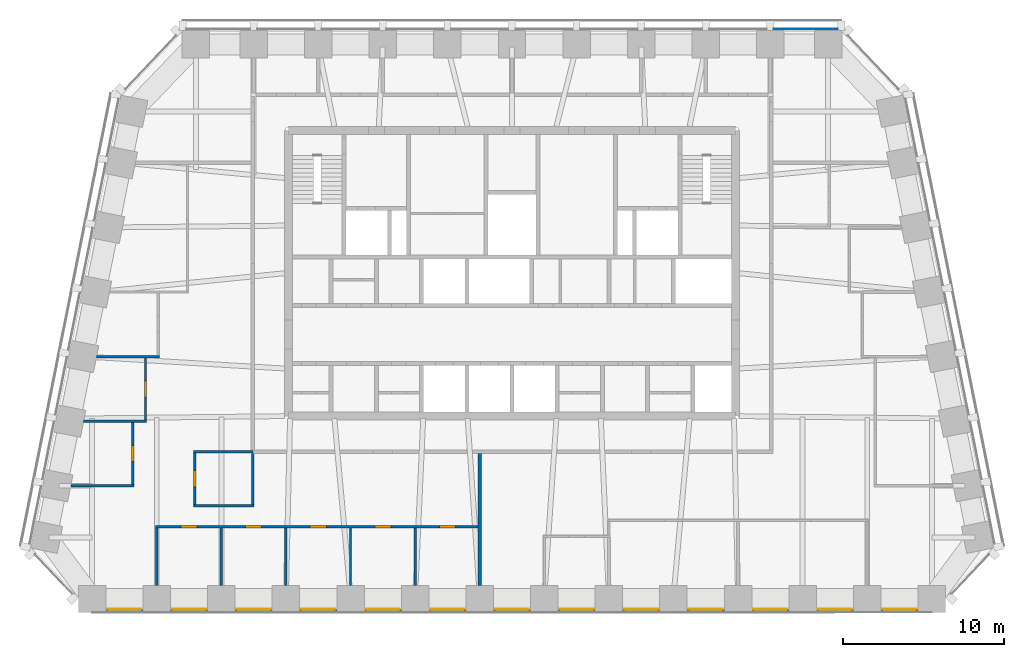
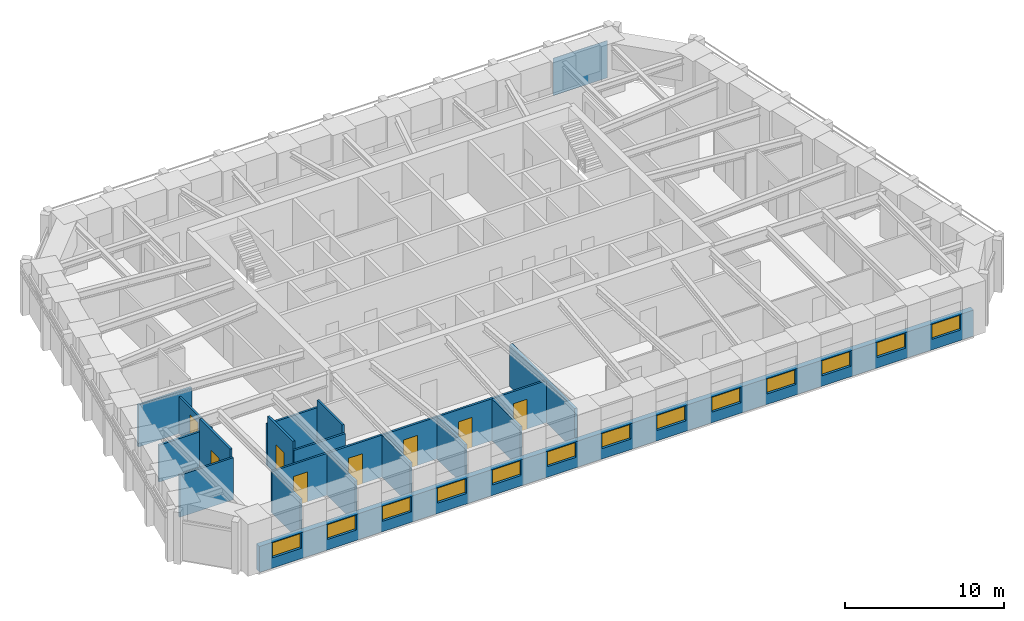
# One storey, part 4 of 11: 17 walls, 13 windows, 8 doors, 1 plate, 21 openings, 1 element without a shape of its own.
"""IFC4 building model written with IfcOpenShell, lengths in metres."""

from ifc_helpers import new_model, si_unit, direction, frame, frame_2d, origin, origin_2d, place, context, subcontext, project, spatial, rectangle, extrude, material, layer, layer_set, type_object, element, fill, aggregate, save


model = new_model("IFC4")

# Units and contexts
model_context = context("Model", 3, precision=1e-05, world=origin(), true_north=direction((0.0, 1.0)))
body_context = subcontext(model_context, "Body", "Model", "MODEL_VIEW")
ifc_project = project(units=[si_unit("LENGTHUNIT", "METRE"), si_unit("AREAUNIT", "SQUARE_METRE"), si_unit("VOLUMEUNIT", "CUBIC_METRE"), si_unit("PLANEANGLEUNIT", "RADIAN"), si_unit("MASSUNIT", "GRAM", prefix="KILO")], contexts=[model_context])

# Site, building, storey
site_placement = place(None, origin())
site = spatial("IfcSite", under=ifc_project, at=site_placement, CompositionType="ELEMENT")
building_placement = place(site_placement, origin())
building = spatial("IfcBuilding", under=site, at=building_placement, Name="Isbrekke Arena Tower", CompositionType="ELEMENT")
storey_placement = place(building_placement, frame((0.0, 0.0, 288.0)))
storey = spatial("IfcBuildingStorey", under=building, at=storey_placement, Name="L67", CompositionType="ELEMENT", Elevation=288.0)

# Curtain wall, plate
ifc_material_1 = material(Name="Glazed aluminium curtain wall", Category="aluminium")
curtain_wall_type = type_object("IfcCurtainWallType", Name="CWT TOWER CURTAIN WALL TOP ZONE", PredefinedType="USERDEFINED", material=ifc_material_1)
curtain_wall_placement = place(storey_placement, origin())
curtain_wall = element("IfcCurtainWall", 1, at=curtain_wall_placement, inside=storey, type_object=curtain_wall_type, Name="CWT curtain wall L67-N", ObjectType="TOWER CURTAIN WALL TOP ZONE", PredefinedType="USERDEFINED")
ifc_material_2 = material(Name="Triple-glazed clear glass unit", Category="glass")
ifc_layer_1 = layer(ifc_material_2, 0.031982421875)
ifc_layer_set_1 = layer_set([ifc_layer_1], Name="CWT-P VISION PANEL")
plate_type = type_object("IfcPlateType", Name="CWT-P VISION PANEL", PredefinedType="CURTAIN_PANEL", material=ifc_layer_set_1)
plate_placement = place(storey_placement, frame((18.199951171875, 30.125, 0.02001953125), z_axis=(0.0, 0.0, 1.0), x_axis=(-1.0, 0.0, 0.0)))
plate = element("IfcPlate", 2, at=plate_placement, type_object=plate_type, Name="CWT-P panel 1", PredefinedType="CURTAIN_PANEL", context=body_context, shape_type="SweptSolid", body=[
    extrude(rectangle(XDim=3.949951171875, YDim=0.031982421875, at=origin_2d()), origin(), (0.0, 0.0, 1.0), 2.8798828125),
])
aggregate(curtain_wall, [plate])

# Wall, openings, windows
ifc_material_3 = material(Name="Copper cladding on insulated framing", Category="metal")
ifc_layer_2 = layer(ifc_material_3, 0.39990234375)
ifc_layer_set_2 = layer_set([ifc_layer_2], Name="EW2 COPPER-CLAD WALL 400")
wall_type_1 = type_object("IfcWallType", Name="EW2 COPPER-CLAD WALL 400", PredefinedType="SOLIDWALL", material=ifc_layer_set_2)
wall_1_placement = place(storey_placement, frame((-26.0, -5.800048828125, 0.0), z_axis=(0.0, 0.0, 1.0), x_axis=(1.0, 0.0, 0.0)))
wall_1 = element("IfcWall", 3, at=wall_1_placement, inside=storey, type_object=wall_type_1, Name="EW2 terrace wall L67", PredefinedType="SOLIDWALL", context=body_context, shape_type="SweptSolid", body=[
    extrude(rectangle(XDim=52.0, YDim=0.39990234375, at=frame_2d((26.0, 0.0))), origin(), (0.0, 0.0, 1.0), 2.0),
])
opening_1_placement = place(wall_1_placement, frame((0.949951171875, 0.0, 0.800048828125)))
opening_1 = element("IfcOpeningElement", 4, at=opening_1_placement, cuts=wall_1, Name="Opening WN1", PredefinedType="OPENING", context=body_context, shape_type="SweptSolid", body=[
    extrude(rectangle(XDim=2.10009765625, YDim=1.14990234375, at=frame_2d((1.050048828125, 0.574951171875))), frame((0.0, 0.21484375, 0.0), z_axis=(0.0, -1.0, 0.0), x_axis=(1.0, 0.0, 0.0)), (0.0, 0.0, 1.0), 0.4296875),
])
opening_2_placement = place(wall_1_placement, frame((4.949951171875, 0.0, 0.800048828125)))
opening_2 = element("IfcOpeningElement", 5, at=opening_2_placement, cuts=wall_1, Name="Opening WN1", PredefinedType="OPENING", context=body_context, shape_type="SweptSolid", body=[
    extrude(rectangle(XDim=2.10009765625, YDim=1.14990234375, at=frame_2d((1.050048828125, 0.574951171875))), frame((0.0, 0.21484375, 0.0), z_axis=(0.0, -1.0, 0.0), x_axis=(1.0, 0.0, 0.0)), (0.0, 0.0, 1.0), 0.4296875),
])
opening_3_placement = place(wall_1_placement, frame((8.949951171875, 0.0, 0.800048828125)))
opening_3 = element("IfcOpeningElement", 6, at=opening_3_placement, cuts=wall_1, Name="Opening WN1", PredefinedType="OPENING", context=body_context, shape_type="SweptSolid", body=[
    extrude(rectangle(XDim=2.10009765625, YDim=1.14990234375, at=frame_2d((1.050048828125, 0.574951171875))), frame((0.0, 0.21484375, 0.0), z_axis=(0.0, -1.0, 0.0), x_axis=(1.0, 0.0, 0.0)), (0.0, 0.0, 1.0), 0.4296875),
])
opening_4_placement = place(wall_1_placement, frame((12.949951171875, 0.0, 0.800048828125)))
opening_4 = element("IfcOpeningElement", 7, at=opening_4_placement, cuts=wall_1, Name="Opening WN1", PredefinedType="OPENING", context=body_context, shape_type="SweptSolid", body=[
    extrude(rectangle(XDim=2.10009765625, YDim=1.14990234375, at=frame_2d((1.050048828125, 0.574951171875))), frame((0.0, 0.21484375, 0.0), z_axis=(0.0, -1.0, 0.0), x_axis=(1.0, 0.0, 0.0)), (0.0, 0.0, 1.0), 0.4296875),
])
opening_5_placement = place(wall_1_placement, frame((16.949951171875, 0.0, 0.800048828125)))
opening_5 = element("IfcOpeningElement", 8, at=opening_5_placement, cuts=wall_1, Name="Opening WN1", PredefinedType="OPENING", context=body_context, shape_type="SweptSolid", body=[
    extrude(rectangle(XDim=2.10009765625, YDim=1.14990234375, at=frame_2d((1.050048828125, 0.574951171875))), frame((0.0, 0.21484375, 0.0), z_axis=(0.0, -1.0, 0.0), x_axis=(1.0, 0.0, 0.0)), (0.0, 0.0, 1.0), 0.4296875),
])
opening_6_placement = place(wall_1_placement, frame((20.949951171875, 0.0, 0.800048828125)))
opening_6 = element("IfcOpeningElement", 9, at=opening_6_placement, cuts=wall_1, Name="Opening WN1", PredefinedType="OPENING", context=body_context, shape_type="SweptSolid", body=[
    extrude(rectangle(XDim=2.10009765625, YDim=1.14990234375, at=frame_2d((1.050048828125, 0.574951171875))), frame((0.0, 0.21484375, 0.0), z_axis=(0.0, -1.0, 0.0), x_axis=(1.0, 0.0, 0.0)), (0.0, 0.0, 1.0), 0.4296875),
])
opening_7_placement = place(wall_1_placement, frame((24.949951171875, 0.0, 0.800048828125)))
opening_7 = element("IfcOpeningElement", 10, at=opening_7_placement, cuts=wall_1, Name="Opening WN1", PredefinedType="OPENING", context=body_context, shape_type="SweptSolid", body=[
    extrude(rectangle(XDim=2.10009765625, YDim=1.14990234375, at=frame_2d((1.050048828125, 0.574951171875))), frame((0.0, 0.21484375, 0.0), z_axis=(0.0, -1.0, 0.0), x_axis=(1.0, 0.0, 0.0)), (0.0, 0.0, 1.0), 0.4296875),
])
opening_8_placement = place(wall_1_placement, frame((28.949951171875, 0.0, 0.800048828125)))
opening_8 = element("IfcOpeningElement", 11, at=opening_8_placement, cuts=wall_1, Name="Opening WN1", PredefinedType="OPENING", context=body_context, shape_type="SweptSolid", body=[
    extrude(rectangle(XDim=2.10009765625, YDim=1.14990234375, at=frame_2d((1.050048828125, 0.574951171875))), frame((0.0, 0.21484375, 0.0), z_axis=(0.0, -1.0, 0.0), x_axis=(1.0, 0.0, 0.0)), (0.0, 0.0, 1.0), 0.4296875),
])
opening_9_placement = place(wall_1_placement, frame((32.949951171875, 0.0, 0.800048828125)))
opening_9 = element("IfcOpeningElement", 12, at=opening_9_placement, cuts=wall_1, Name="Opening WN1", PredefinedType="OPENING", context=body_context, shape_type="SweptSolid", body=[
    extrude(rectangle(XDim=2.10009765625, YDim=1.14990234375, at=frame_2d((1.050048828125, 0.574951171875))), frame((0.0, 0.21484375, 0.0), z_axis=(0.0, -1.0, 0.0), x_axis=(1.0, 0.0, 0.0)), (0.0, 0.0, 1.0), 0.4296875),
])
opening_10_placement = place(wall_1_placement, frame((36.949951171875, 0.0, 0.800048828125)))
opening_10 = element("IfcOpeningElement", 13, at=opening_10_placement, cuts=wall_1, Name="Opening WN1", PredefinedType="OPENING", context=body_context, shape_type="SweptSolid", body=[
    extrude(rectangle(XDim=2.10009765625, YDim=1.14990234375, at=frame_2d((1.050048828125, 0.574951171875))), frame((0.0, 0.21484375, 0.0), z_axis=(0.0, -1.0, 0.0), x_axis=(1.0, 0.0, 0.0)), (0.0, 0.0, 1.0), 0.4296875),
])
opening_11_placement = place(wall_1_placement, frame((40.949951171875, 0.0, 0.800048828125)))
opening_11 = element("IfcOpeningElement", 14, at=opening_11_placement, cuts=wall_1, Name="Opening WN1", PredefinedType="OPENING", context=body_context, shape_type="SweptSolid", body=[
    extrude(rectangle(XDim=2.10009765625, YDim=1.14990234375, at=frame_2d((1.050048828125, 0.574951171875))), frame((0.0, 0.21484375, 0.0), z_axis=(0.0, -1.0, 0.0), x_axis=(1.0, 0.0, 0.0)), (0.0, 0.0, 1.0), 0.4296875),
])
opening_12_placement = place(wall_1_placement, frame((44.949951171875, 0.0, 0.800048828125)))
opening_12 = element("IfcOpeningElement", 15, at=opening_12_placement, cuts=wall_1, Name="Opening WN1", PredefinedType="OPENING", context=body_context, shape_type="SweptSolid", body=[
    extrude(rectangle(XDim=2.10009765625, YDim=1.14990234375, at=frame_2d((1.050048828125, 0.574951171875))), frame((0.0, 0.21484375, 0.0), z_axis=(0.0, -1.0, 0.0), x_axis=(1.0, 0.0, 0.0)), (0.0, 0.0, 1.0), 0.4296875),
])
opening_13_placement = place(wall_1_placement, frame((48.949951171875, 0.0, 0.800048828125)))
opening_13 = element("IfcOpeningElement", 16, at=opening_13_placement, cuts=wall_1, Name="Opening WN1", PredefinedType="OPENING", context=body_context, shape_type="SweptSolid", body=[
    extrude(rectangle(XDim=2.10009765625, YDim=1.14990234375, at=frame_2d((1.050048828125, 0.574951171875))), frame((0.0, 0.21484375, 0.0), z_axis=(0.0, -1.0, 0.0), x_axis=(1.0, 0.0, 0.0)), (0.0, 0.0, 1.0), 0.4296875),
])
ifc_material_4 = material(Name="Timber-aluminium window, triple glazed", Category="wood")
window_type = type_object("IfcWindowType", Name="WN1 TERRACE WINDOW 2100 x 1150", PartitioningType="SINGLE_PANEL", PredefinedType="WINDOW", material=ifc_material_4)
window_1_placement = place(opening_1_placement, origin())
window_1 = element("IfcWindow", 17, at=window_1_placement, inside=storey, type_object=window_type, Name="WN1 terrace window L67-1", OverallHeight=1.14990234375, OverallWidth=2.10009765625, PartitioningType="SINGLE_PANEL", PredefinedType="WINDOW", context=body_context, shape_type="SweptSolid", body=[
    extrude(rectangle(XDim=2.10009765625, YDim=1.14990234375, at=frame_2d((1.050048828125, 0.574951171875))), frame((0.0, 0.030029296875, 0.0), z_axis=(0.0, -1.0, 0.0), x_axis=(1.0, 0.0, 0.0)), (0.0, 0.0, 1.0), 0.06005859375),
])
fill(opening_1, window_1)
window_2_placement = place(opening_2_placement, origin())
window_2 = element("IfcWindow", 18, at=window_2_placement, inside=storey, type_object=window_type, Name="WN1 terrace window L67-2", OverallHeight=1.14990234375, OverallWidth=2.10009765625, PartitioningType="SINGLE_PANEL", PredefinedType="WINDOW", context=body_context, shape_type="SweptSolid", body=[
    extrude(rectangle(XDim=2.10009765625, YDim=1.14990234375, at=frame_2d((1.050048828125, 0.574951171875))), frame((0.0, 0.030029296875, 0.0), z_axis=(0.0, -1.0, 0.0), x_axis=(1.0, 0.0, 0.0)), (0.0, 0.0, 1.0), 0.06005859375),
])
fill(opening_2, window_2)
window_3_placement = place(opening_3_placement, origin())
window_3 = element("IfcWindow", 19, at=window_3_placement, inside=storey, type_object=window_type, Name="WN1 terrace window L67-3", OverallHeight=1.14990234375, OverallWidth=2.10009765625, PartitioningType="SINGLE_PANEL", PredefinedType="WINDOW", context=body_context, shape_type="SweptSolid", body=[
    extrude(rectangle(XDim=2.10009765625, YDim=1.14990234375, at=frame_2d((1.050048828125, 0.574951171875))), frame((0.0, 0.030029296875, 0.0), z_axis=(0.0, -1.0, 0.0), x_axis=(1.0, 0.0, 0.0)), (0.0, 0.0, 1.0), 0.06005859375),
])
fill(opening_3, window_3)
window_4_placement = place(opening_4_placement, origin())
window_4 = element("IfcWindow", 20, at=window_4_placement, inside=storey, type_object=window_type, Name="WN1 terrace window L67-4", OverallHeight=1.14990234375, OverallWidth=2.10009765625, PartitioningType="SINGLE_PANEL", PredefinedType="WINDOW", context=body_context, shape_type="SweptSolid", body=[
    extrude(rectangle(XDim=2.10009765625, YDim=1.14990234375, at=frame_2d((1.050048828125, 0.574951171875))), frame((0.0, 0.030029296875, 0.0), z_axis=(0.0, -1.0, 0.0), x_axis=(1.0, 0.0, 0.0)), (0.0, 0.0, 1.0), 0.06005859375),
])
fill(opening_4, window_4)
window_5_placement = place(opening_5_placement, origin())
window_5 = element("IfcWindow", 21, at=window_5_placement, inside=storey, type_object=window_type, Name="WN1 terrace window L67-5", OverallHeight=1.14990234375, OverallWidth=2.10009765625, PartitioningType="SINGLE_PANEL", PredefinedType="WINDOW", context=body_context, shape_type="SweptSolid", body=[
    extrude(rectangle(XDim=2.10009765625, YDim=1.14990234375, at=frame_2d((1.050048828125, 0.574951171875))), frame((0.0, 0.030029296875, 0.0), z_axis=(0.0, -1.0, 0.0), x_axis=(1.0, 0.0, 0.0)), (0.0, 0.0, 1.0), 0.06005859375),
])
fill(opening_5, window_5)
window_6_placement = place(opening_6_placement, origin())
window_6 = element("IfcWindow", 22, at=window_6_placement, inside=storey, type_object=window_type, Name="WN1 terrace window L67-6", OverallHeight=1.14990234375, OverallWidth=2.10009765625, PartitioningType="SINGLE_PANEL", PredefinedType="WINDOW", context=body_context, shape_type="SweptSolid", body=[
    extrude(rectangle(XDim=2.10009765625, YDim=1.14990234375, at=frame_2d((1.050048828125, 0.574951171875))), frame((0.0, 0.030029296875, 0.0), z_axis=(0.0, -1.0, 0.0), x_axis=(1.0, 0.0, 0.0)), (0.0, 0.0, 1.0), 0.06005859375),
])
fill(opening_6, window_6)
window_7_placement = place(opening_7_placement, origin())
window_7 = element("IfcWindow", 23, at=window_7_placement, inside=storey, type_object=window_type, Name="WN1 terrace window L67-7", OverallHeight=1.14990234375, OverallWidth=2.10009765625, PartitioningType="SINGLE_PANEL", PredefinedType="WINDOW", context=body_context, shape_type="SweptSolid", body=[
    extrude(rectangle(XDim=2.10009765625, YDim=1.14990234375, at=frame_2d((1.050048828125, 0.574951171875))), frame((0.0, 0.030029296875, 0.0), z_axis=(0.0, -1.0, 0.0), x_axis=(1.0, 0.0, 0.0)), (0.0, 0.0, 1.0), 0.06005859375),
])
fill(opening_7, window_7)
window_8_placement = place(opening_8_placement, origin())
window_8 = element("IfcWindow", 24, at=window_8_placement, inside=storey, type_object=window_type, Name="WN1 terrace window L67-8", OverallHeight=1.14990234375, OverallWidth=2.10009765625, PartitioningType="SINGLE_PANEL", PredefinedType="WINDOW", context=body_context, shape_type="SweptSolid", body=[
    extrude(rectangle(XDim=2.10009765625, YDim=1.14990234375, at=frame_2d((1.050048828125, 0.574951171875))), frame((0.0, 0.030029296875, 0.0), z_axis=(0.0, -1.0, 0.0), x_axis=(1.0, 0.0, 0.0)), (0.0, 0.0, 1.0), 0.06005859375),
])
fill(opening_8, window_8)
window_9_placement = place(opening_9_placement, origin())
window_9 = element("IfcWindow", 25, at=window_9_placement, inside=storey, type_object=window_type, Name="WN1 terrace window L67-9", OverallHeight=1.14990234375, OverallWidth=2.10009765625, PartitioningType="SINGLE_PANEL", PredefinedType="WINDOW", context=body_context, shape_type="SweptSolid", body=[
    extrude(rectangle(XDim=2.10009765625, YDim=1.14990234375, at=frame_2d((1.050048828125, 0.574951171875))), frame((0.0, 0.030029296875, 0.0), z_axis=(0.0, -1.0, 0.0), x_axis=(1.0, 0.0, 0.0)), (0.0, 0.0, 1.0), 0.06005859375),
])
fill(opening_9, window_9)
window_10_placement = place(opening_10_placement, origin())
window_10 = element("IfcWindow", 26, at=window_10_placement, inside=storey, type_object=window_type, Name="WN1 terrace window L67-10", OverallHeight=1.14990234375, OverallWidth=2.10009765625, PartitioningType="SINGLE_PANEL", PredefinedType="WINDOW", context=body_context, shape_type="SweptSolid", body=[
    extrude(rectangle(XDim=2.10009765625, YDim=1.14990234375, at=frame_2d((1.050048828125, 0.574951171875))), frame((0.0, 0.030029296875, 0.0), z_axis=(0.0, -1.0, 0.0), x_axis=(1.0, 0.0, 0.0)), (0.0, 0.0, 1.0), 0.06005859375),
])
fill(opening_10, window_10)
window_11_placement = place(opening_11_placement, origin())
window_11 = element("IfcWindow", 27, at=window_11_placement, inside=storey, type_object=window_type, Name="WN1 terrace window L67-11", OverallHeight=1.14990234375, OverallWidth=2.10009765625, PartitioningType="SINGLE_PANEL", PredefinedType="WINDOW", context=body_context, shape_type="SweptSolid", body=[
    extrude(rectangle(XDim=2.10009765625, YDim=1.14990234375, at=frame_2d((1.050048828125, 0.574951171875))), frame((0.0, 0.030029296875, 0.0), z_axis=(0.0, -1.0, 0.0), x_axis=(1.0, 0.0, 0.0)), (0.0, 0.0, 1.0), 0.06005859375),
])
fill(opening_11, window_11)
window_12_placement = place(opening_12_placement, origin())
window_12 = element("IfcWindow", 28, at=window_12_placement, inside=storey, type_object=window_type, Name="WN1 terrace window L67-12", OverallHeight=1.14990234375, OverallWidth=2.10009765625, PartitioningType="SINGLE_PANEL", PredefinedType="WINDOW", context=body_context, shape_type="SweptSolid", body=[
    extrude(rectangle(XDim=2.10009765625, YDim=1.14990234375, at=frame_2d((1.050048828125, 0.574951171875))), frame((0.0, 0.030029296875, 0.0), z_axis=(0.0, -1.0, 0.0), x_axis=(1.0, 0.0, 0.0)), (0.0, 0.0, 1.0), 0.06005859375),
])
fill(opening_12, window_12)
window_13_placement = place(opening_13_placement, origin())
window_13 = element("IfcWindow", 29, at=window_13_placement, inside=storey, type_object=window_type, Name="WN1 terrace window L67-13", OverallHeight=1.14990234375, OverallWidth=2.10009765625, PartitioningType="SINGLE_PANEL", PredefinedType="WINDOW", context=body_context, shape_type="SweptSolid", body=[
    extrude(rectangle(XDim=2.10009765625, YDim=1.14990234375, at=frame_2d((1.050048828125, 0.574951171875))), frame((0.0, 0.030029296875, 0.0), z_axis=(0.0, -1.0, 0.0), x_axis=(1.0, 0.0, 0.0)), (0.0, 0.0, 1.0), 0.06005859375),
])
fill(opening_13, window_13)

# Wall, openings, doors
ifc_material_5 = material(Name="Gypsum board partition on steel studs", Category="steel")
ifc_layer_3 = layer(ifc_material_5, 0.14990234375)
ifc_layer_set_3 = layer_set([ifc_layer_3], Name="IW1 PARTITION 150")
wall_type_2 = type_object("IfcWallType", Name="IW1 PARTITION 150", PredefinedType="PARTITIONING", material=ifc_layer_set_3)
wall_2_placement = place(storey_placement, frame((-22.074951171875, -0.699951171875, 0.0), z_axis=(0.0, 0.0, 1.0), x_axis=(1.0, 0.0, 0.0)))
wall_2 = element("IfcWall", 30, at=wall_2_placement, inside=storey, type_object=wall_type_2, Name="IW1 partition 150 L67", PredefinedType="PARTITIONING", context=body_context, shape_type="SweptSolid", body=[
    extrude(rectangle(XDim=19.974853515625, YDim=0.14990234375, at=frame_2d((9.9873046875, 0.0))), origin(), (0.0, 0.0, 1.0), 3.22998046875),
])
opening_14_placement = place(wall_2_placement, frame((1.574951171875, 0.0, 0.0)))
opening_14 = element("IfcOpeningElement", 31, at=opening_14_placement, cuts=wall_2, Name="Opening D10", PredefinedType="OPENING", context=body_context, shape_type="SweptSolid", body=[
    extrude(rectangle(XDim=1.0, YDim=2.300048828125, at=frame_2d((0.5, 1.14990234375))), frame((0.0, 0.08984375, 0.0), z_axis=(0.0, -1.0, 0.0), x_axis=(1.0, 0.0, 0.0)), (0.0, 0.0, 1.0), 0.1796875),
])
opening_15_placement = place(wall_2_placement, frame((5.574951171875, 0.0, 0.0)))
opening_15 = element("IfcOpeningElement", 32, at=opening_15_placement, cuts=wall_2, Name="Opening D10", PredefinedType="OPENING", context=body_context, shape_type="SweptSolid", body=[
    extrude(rectangle(XDim=1.0, YDim=2.300048828125, at=frame_2d((0.5, 1.14990234375))), frame((0.0, 0.08984375, 0.0), z_axis=(0.0, -1.0, 0.0), x_axis=(1.0, 0.0, 0.0)), (0.0, 0.0, 1.0), 0.1796875),
])
opening_16_placement = place(wall_2_placement, frame((9.574951171875, 0.0, 0.0)))
opening_16 = element("IfcOpeningElement", 33, at=opening_16_placement, cuts=wall_2, Name="Opening D10", PredefinedType="OPENING", context=body_context, shape_type="SweptSolid", body=[
    extrude(rectangle(XDim=1.0, YDim=2.300048828125, at=frame_2d((0.5, 1.14990234375))), frame((0.0, 0.08984375, 0.0), z_axis=(0.0, -1.0, 0.0), x_axis=(1.0, 0.0, 0.0)), (0.0, 0.0, 1.0), 0.1796875),
])
opening_17_placement = place(wall_2_placement, frame((13.574951171875, 0.0, 0.0)))
opening_17 = element("IfcOpeningElement", 34, at=opening_17_placement, cuts=wall_2, Name="Opening D10", PredefinedType="OPENING", context=body_context, shape_type="SweptSolid", body=[
    extrude(rectangle(XDim=1.0, YDim=2.300048828125, at=frame_2d((0.5, 1.14990234375))), frame((0.0, 0.08984375, 0.0), z_axis=(0.0, -1.0, 0.0), x_axis=(1.0, 0.0, 0.0)), (0.0, 0.0, 1.0), 0.1796875),
])
opening_18_placement = place(wall_2_placement, frame((17.574951171875, 0.0, 0.0)))
opening_18 = element("IfcOpeningElement", 35, at=opening_18_placement, cuts=wall_2, Name="Opening D10", PredefinedType="OPENING", context=body_context, shape_type="SweptSolid", body=[
    extrude(rectangle(XDim=1.0, YDim=2.300048828125, at=frame_2d((0.5, 1.14990234375))), frame((0.0, 0.08984375, 0.0), z_axis=(0.0, -1.0, 0.0), x_axis=(1.0, 0.0, 0.0)), (0.0, 0.0, 1.0), 0.1796875),
])
ifc_material_6 = material(Name="Timber door", Category="wood")
door_type = type_object("IfcDoorType", Name="D10 OFFICE DOOR 1000 x 2300", OperationType="SINGLE_SWING_LEFT", PredefinedType="DOOR", material=ifc_material_6)
door_1_placement = place(opening_14_placement, origin())
door_1 = element("IfcDoor", 36, at=door_1_placement, inside=storey, type_object=door_type, Name="D10 office door L67", OperationType="SINGLE_SWING_LEFT", OverallHeight=2.300048828125, OverallWidth=1.0, PredefinedType="DOOR", context=body_context, shape_type="SweptSolid", body=[
    extrude(rectangle(XDim=1.0, YDim=2.300048828125, at=frame_2d((0.5, 1.14990234375))), frame((0.0, 0.07470703125, 0.0), z_axis=(0.0, -1.0, 0.0), x_axis=(1.0, 0.0, 0.0)), (0.0, 0.0, 1.0), 0.1494140625),
])
fill(opening_14, door_1)
door_2_placement = place(opening_15_placement, origin())
door_2 = element("IfcDoor", 37, at=door_2_placement, inside=storey, type_object=door_type, Name="D10 office door L67", OperationType="SINGLE_SWING_LEFT", OverallHeight=2.300048828125, OverallWidth=1.0, PredefinedType="DOOR", context=body_context, shape_type="SweptSolid", body=[
    extrude(rectangle(XDim=1.0, YDim=2.300048828125, at=frame_2d((0.5, 1.14990234375))), frame((0.0, 0.07470703125, 0.0), z_axis=(0.0, -1.0, 0.0), x_axis=(1.0, 0.0, 0.0)), (0.0, 0.0, 1.0), 0.1494140625),
])
fill(opening_15, door_2)
door_3_placement = place(opening_16_placement, origin())
door_3 = element("IfcDoor", 38, at=door_3_placement, inside=storey, type_object=door_type, Name="D10 office door L67", OperationType="SINGLE_SWING_LEFT", OverallHeight=2.300048828125, OverallWidth=1.0, PredefinedType="DOOR", context=body_context, shape_type="SweptSolid", body=[
    extrude(rectangle(XDim=1.0, YDim=2.300048828125, at=frame_2d((0.5, 1.14990234375))), frame((0.0, 0.07470703125, 0.0), z_axis=(0.0, -1.0, 0.0), x_axis=(1.0, 0.0, 0.0)), (0.0, 0.0, 1.0), 0.1494140625),
])
fill(opening_16, door_3)
door_4_placement = place(opening_17_placement, origin())
door_4 = element("IfcDoor", 39, at=door_4_placement, inside=storey, type_object=door_type, Name="D10 office door L67", OperationType="SINGLE_SWING_LEFT", OverallHeight=2.300048828125, OverallWidth=1.0, PredefinedType="DOOR", context=body_context, shape_type="SweptSolid", body=[
    extrude(rectangle(XDim=1.0, YDim=2.300048828125, at=frame_2d((0.5, 1.14990234375))), frame((0.0, 0.07470703125, 0.0), z_axis=(0.0, -1.0, 0.0), x_axis=(1.0, 0.0, 0.0)), (0.0, 0.0, 1.0), 0.1494140625),
])
fill(opening_17, door_4)
door_5_placement = place(opening_18_placement, origin())
door_5 = element("IfcDoor", 40, at=door_5_placement, inside=storey, type_object=door_type, Name="D10 office door L67", OperationType="SINGLE_SWING_LEFT", OverallHeight=2.300048828125, OverallWidth=1.0, PredefinedType="DOOR", context=body_context, shape_type="SweptSolid", body=[
    extrude(rectangle(XDim=1.0, YDim=2.300048828125, at=frame_2d((0.5, 1.14990234375))), frame((0.0, 0.07470703125, 0.0), z_axis=(0.0, -1.0, 0.0), x_axis=(1.0, 0.0, 0.0)), (0.0, 0.0, 1.0), 0.1494140625),
])
fill(opening_18, door_5)

# Walls
wall_3_placement = place(storey_placement, frame((-19.72509765625, 0.60009765625, 0.0), z_axis=(0.0, 0.0, 1.0), x_axis=(1.0, 0.0, 0.0)))
element("IfcWall", 41, at=wall_3_placement, inside=storey, type_object=wall_type_2, Name="IW1 partition 150 L67", PredefinedType="PARTITIONING", context=body_context, shape_type="SweptSolid", body=[
    extrude(rectangle(XDim=3.75, YDim=0.14990234375, at=frame_2d((1.875, 0.0))), origin(), (0.0, 0.0, 1.0), 3.22998046875),
])
wall_4_placement = place(storey_placement, frame((-27.32373046875, 1.840087890625, 0.0), z_axis=(0.0, 0.0, 1.0), x_axis=(1.0, 0.0, 0.0)))
element("IfcWall", 42, at=wall_4_placement, inside=storey, type_object=wall_type_2, Name="IW1 partition 150 L67", PredefinedType="PARTITIONING", context=body_context, shape_type="SweptSolid", body=[
    extrude(rectangle(XDim=3.898681640625, YDim=0.14990234375, at=frame_2d((1.94921875, 0.0))), origin(), (0.0, 0.0, 1.0), 3.22998046875),
])
wall_5_placement = place(storey_placement, frame((-19.72509765625, 3.949951171875, 0.0), z_axis=(0.0, 0.0, 1.0), x_axis=(1.0, 0.0, 0.0)))
element("IfcWall", 43, at=wall_5_placement, inside=storey, type_object=wall_type_2, Name="IW1 partition 150 L67", PredefinedType="PARTITIONING", context=body_context, shape_type="SweptSolid", body=[
    extrude(rectangle(XDim=3.675048828125, YDim=0.14990234375, at=frame_2d((1.83740234375, 0.0))), origin(), (0.0, 0.0, 1.0), 3.22998046875),
])
wall_6_placement = place(storey_placement, frame((-26.523681640625, 5.840087890625, 0.0), z_axis=(0.0, 0.0, 1.0), x_axis=(1.0, 0.0, 0.0)))
element("IfcWall", 44, at=wall_6_placement, inside=storey, type_object=wall_type_2, Name="IW1 partition 150 L67", PredefinedType="PARTITIONING", context=body_context, shape_type="SweptSolid", body=[
    extrude(rectangle(XDim=3.898681640625, YDim=0.14990234375, at=frame_2d((1.94921875, 0.0))), origin(), (0.0, 0.0, 1.0), 2.842041015625),
])
wall_7_placement = place(storey_placement, frame((-25.723876953125, 9.840087890625, 0.0), z_axis=(0.0, 0.0, 1.0), x_axis=(1.0, 0.0, 0.0)))
element("IfcWall", 45, at=wall_7_placement, inside=storey, type_object=wall_type_2, Name="IW1 partition 150 L67", PredefinedType="PARTITIONING", context=body_context, shape_type="SweptSolid", body=[
    extrude(rectangle(XDim=3.89892578125, YDim=0.14990234375, at=frame_2d((1.949462890625, 0.0))), origin(), (0.0, 0.0, 1.0), 3.22998046875),
])

# Wall, opening, door
wall_8_placement = place(storey_placement, frame((-23.5, 1.9150390625, 0.0), z_axis=(0.0, 0.0, 1.0), x_axis=(0.0, 1.0, 0.0)))
wall_8 = element("IfcWall", 46, at=wall_8_placement, inside=storey, type_object=wall_type_2, Name="IW1 partition 150 L67", PredefinedType="PARTITIONING", context=body_context, shape_type="SweptSolid", body=[
    extrude(rectangle(XDim=3.849853515625, YDim=0.14990234375, at=frame_2d((1.9248046875, 0.0))), origin(), (0.0, 0.0, 1.0), 3.85009765625),
])
opening_19_placement = place(wall_8_placement, frame((1.425048828125, 0.0, 0.0)))
opening_19 = element("IfcOpeningElement", 47, at=opening_19_placement, cuts=wall_8, Name="Opening D10", PredefinedType="OPENING", context=body_context, shape_type="SweptSolid", body=[
    extrude(rectangle(XDim=1.0, YDim=2.300048828125, at=frame_2d((0.5, 1.14990234375))), frame((0.0, 0.08984375, 0.0), z_axis=(0.0, -1.0, 0.0), x_axis=(1.0, 0.0, 0.0)), (0.0, 0.0, 1.0), 0.1796875),
])
door_6_placement = place(opening_19_placement, origin())
door_6 = element("IfcDoor", 48, at=door_6_placement, inside=storey, type_object=door_type, Name="D10 office door L67", OperationType="SINGLE_SWING_LEFT", OverallHeight=2.300048828125, OverallWidth=1.0, PredefinedType="DOOR", context=body_context, shape_type="SweptSolid", body=[
    extrude(rectangle(XDim=1.0, YDim=2.300048828125, at=frame_2d((0.5, 1.14990234375))), frame((0.0, 0.07470703125, 0.0), z_axis=(0.0, -1.0, 0.0), x_axis=(1.0, 0.0, 0.0)), (0.0, 0.0, 1.0), 0.1494140625),
])
fill(opening_19, door_6)

wall_9_placement = place(storey_placement, frame((-22.699951171875, 5.9150390625, 0.0), z_axis=(0.0, 0.0, 1.0), x_axis=(0.0, 1.0, 0.0)))
wall_9 = element("IfcWall", 49, at=wall_9_placement, inside=storey, type_object=wall_type_2, Name="IW1 partition 150 L67", PredefinedType="PARTITIONING", context=body_context, shape_type="SweptSolid", body=[
    extrude(rectangle(XDim=3.849853515625, YDim=0.14990234375, at=frame_2d((1.9248046875, 0.0))), origin(), (0.0, 0.0, 1.0), 2.842041015625),
])
opening_20_placement = place(wall_9_placement, frame((1.425048828125, 0.0, 0.0)))
opening_20 = element("IfcOpeningElement", 50, at=opening_20_placement, cuts=wall_9, Name="Opening D10", PredefinedType="OPENING", context=body_context, shape_type="SweptSolid", body=[
    extrude(rectangle(XDim=1.0, YDim=2.300048828125, at=frame_2d((0.5, 1.14990234375))), frame((0.0, 0.08984375, 0.0), z_axis=(0.0, -1.0, 0.0), x_axis=(1.0, 0.0, 0.0)), (0.0, 0.0, 1.0), 0.1796875),
])
door_7_placement = place(opening_20_placement, origin())
door_7 = element("IfcDoor", 51, at=door_7_placement, inside=storey, type_object=door_type, Name="D10 office door L67", OperationType="SINGLE_SWING_LEFT", OverallHeight=2.300048828125, OverallWidth=1.0, PredefinedType="DOOR", context=body_context, shape_type="SweptSolid", body=[
    extrude(rectangle(XDim=1.0, YDim=2.300048828125, at=frame_2d((0.5, 1.14990234375))), frame((0.0, 0.07470703125, 0.0), z_axis=(0.0, -1.0, 0.0), x_axis=(1.0, 0.0, 0.0)), (0.0, 0.0, 1.0), 0.1494140625),
])
fill(opening_20, door_7)

# Wall
wall_10_placement = place(storey_placement, frame((-22.0, -4.324951171875, 0.0), z_axis=(0.0, 0.0, 1.0), x_axis=(0.0, 1.0, 0.0)))
element("IfcWall", 52, at=wall_10_placement, inside=storey, type_object=wall_type_2, Name="IW1 partition 150 L67", PredefinedType="PARTITIONING", context=body_context, shape_type="SweptSolid", body=[
    extrude(rectangle(XDim=3.550048828125, YDim=0.14990234375, at=frame_2d((1.77490234375, 0.0))), origin(), (0.0, 0.0, 1.0), 3.22998046875),
])

# Wall, opening, door
wall_11_placement = place(storey_placement, frame((-19.64990234375, 0.675048828125, 0.0), z_axis=(0.0, 0.0, 1.0), x_axis=(0.0, 1.0, 0.0)))
wall_11 = element("IfcWall", 53, at=wall_11_placement, inside=storey, type_object=wall_type_2, Name="IW1 partition 150 L67", PredefinedType="PARTITIONING", context=body_context, shape_type="SweptSolid", body=[
    extrude(rectangle(XDim=3.199951171875, YDim=0.14990234375, at=frame_2d((1.60009765625, 0.0))), origin(), (0.0, 0.0, 1.0), 3.85009765625),
])
opening_21_placement = place(wall_11_placement, frame((1.10009765625, 0.0, 0.0)))
opening_21 = element("IfcOpeningElement", 54, at=opening_21_placement, cuts=wall_11, Name="Opening D10", PredefinedType="OPENING", context=body_context, shape_type="SweptSolid", body=[
    extrude(rectangle(XDim=1.0, YDim=2.300048828125, at=frame_2d((0.5, 1.14990234375))), frame((0.0, 0.08984375, 0.0), z_axis=(0.0, -1.0, 0.0), x_axis=(1.0, 0.0, 0.0)), (0.0, 0.0, 1.0), 0.1796875),
])
door_8_placement = place(opening_21_placement, origin())
door_8 = element("IfcDoor", 55, at=door_8_placement, inside=storey, type_object=door_type, Name="D10 pantry door L67", OperationType="SINGLE_SWING_LEFT", OverallHeight=2.300048828125, OverallWidth=1.0, PredefinedType="DOOR", context=body_context, shape_type="SweptSolid", body=[
    extrude(rectangle(XDim=1.0, YDim=2.300048828125, at=frame_2d((0.5, 1.14990234375))), frame((0.0, 0.07470703125, 0.0), z_axis=(0.0, -1.0, 0.0), x_axis=(1.0, 0.0, 0.0)), (0.0, 0.0, 1.0), 0.1494140625),
])
fill(opening_21, door_8)

# Walls
wall_12_placement = place(storey_placement, frame((-18.0, -4.324951171875, 0.0), z_axis=(0.0, 0.0, 1.0), x_axis=(0.0, 1.0, 0.0)))
element("IfcWall", 56, at=wall_12_placement, inside=storey, type_object=wall_type_2, Name="IW1 partition 150 L67", PredefinedType="PARTITIONING", context=body_context, shape_type="SweptSolid", body=[
    extrude(rectangle(XDim=3.550048828125, YDim=0.14990234375, at=frame_2d((1.77490234375, 0.0))), origin(), (0.0, 0.0, 1.0), 3.22998046875),
])
wall_13_placement = place(storey_placement, frame((-16.050048828125, 0.675048828125, 0.0), z_axis=(0.0, 0.0, 1.0), x_axis=(0.0, 1.0, 0.0)))
element("IfcWall", 57, at=wall_13_placement, inside=storey, type_object=wall_type_2, Name="IW1 partition 150 L67", PredefinedType="PARTITIONING", context=body_context, shape_type="SweptSolid", body=[
    extrude(rectangle(XDim=3.175048828125, YDim=0.14990234375, at=frame_2d((1.58740234375, 0.0))), origin(), (0.0, 0.0, 1.0), 3.85009765625),
])
for number, where, z_axis, x_axis, name in (
    (58, (-14.0, -4.324951171875, 0.0), (0.0, 0.0, 1.0), (0.0, 1.0, 0.0), "IW1 partition 150 L67"),
    (59, (-10.0, -4.324951171875, 0.0), (0.0, 0.0, 1.0), (0.0, 1.0, 0.0), "IW1 partition 150 L67"),
    (60, (-6.0, -4.324951171875, 0.0), (0.0, 0.0, 1.0), (0.0, 1.0, 0.0), "IW1 partition 150 L67"),
):
    element("IfcWall", number, at=place(storey_placement, frame(where, z_axis=z_axis, x_axis=x_axis)), inside=storey, type_object=wall_type_2, Name=name, PredefinedType="PARTITIONING", context=body_context, shape_type="SweptSolid", body=[
        extrude(rectangle(XDim=3.550048828125, YDim=0.14990234375, at=frame_2d((1.77490234375, 0.0))), origin(), (0.0, 0.0, 1.0), 3.22998046875),
    ])
ifc_material_7 = material(Name="Gypsum board fire-cell wall on steel studs, two layers each side", Category="steel")
ifc_layer_4 = layer(ifc_material_7, 0.199951171875)
ifc_layer_set_4 = layer_set([ifc_layer_4], Name="IW3 FIRE-CELL WALL 200")
wall_type_3 = type_object("IfcWallType", Name="IW3 FIRE-CELL WALL 200", PredefinedType="PARTITIONING", material=ifc_layer_set_4)
wall_14_placement = place(storey_placement, frame((-2.0, -4.324951171875, 0.0), z_axis=(0.0, 0.0, 1.0), x_axis=(0.0, 1.0, 0.0)))
element("IfcWall", 61, at=wall_14_placement, inside=storey, type_object=wall_type_3, Name="IW3 fire-cell wall 200 L67", PredefinedType="PARTITIONING", context=body_context, shape_type="SweptSolid", body=[
    extrude(rectangle(XDim=8.175048828125, YDim=0.199951171875, at=frame_2d((4.08740234375, 0.0))), origin(), (0.0, 0.0, 1.0), 3.22998046875),
])

save(model, "model.ifc")
